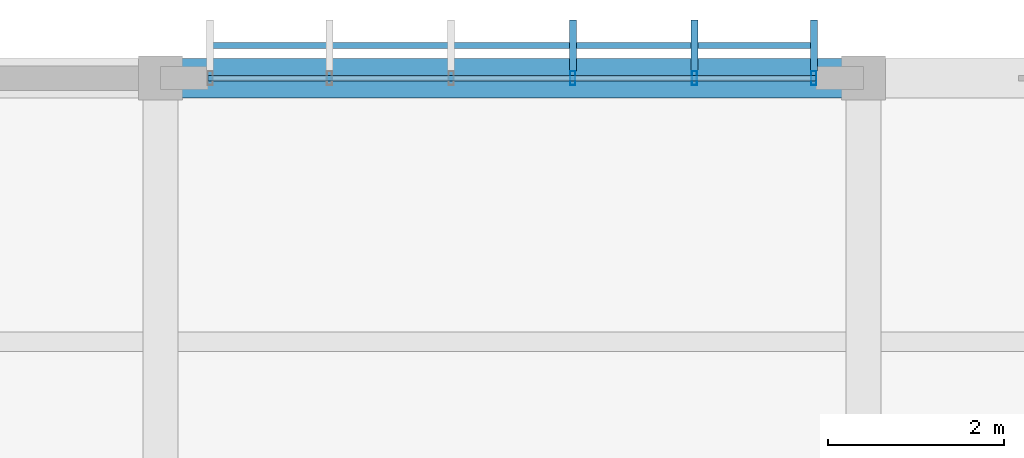
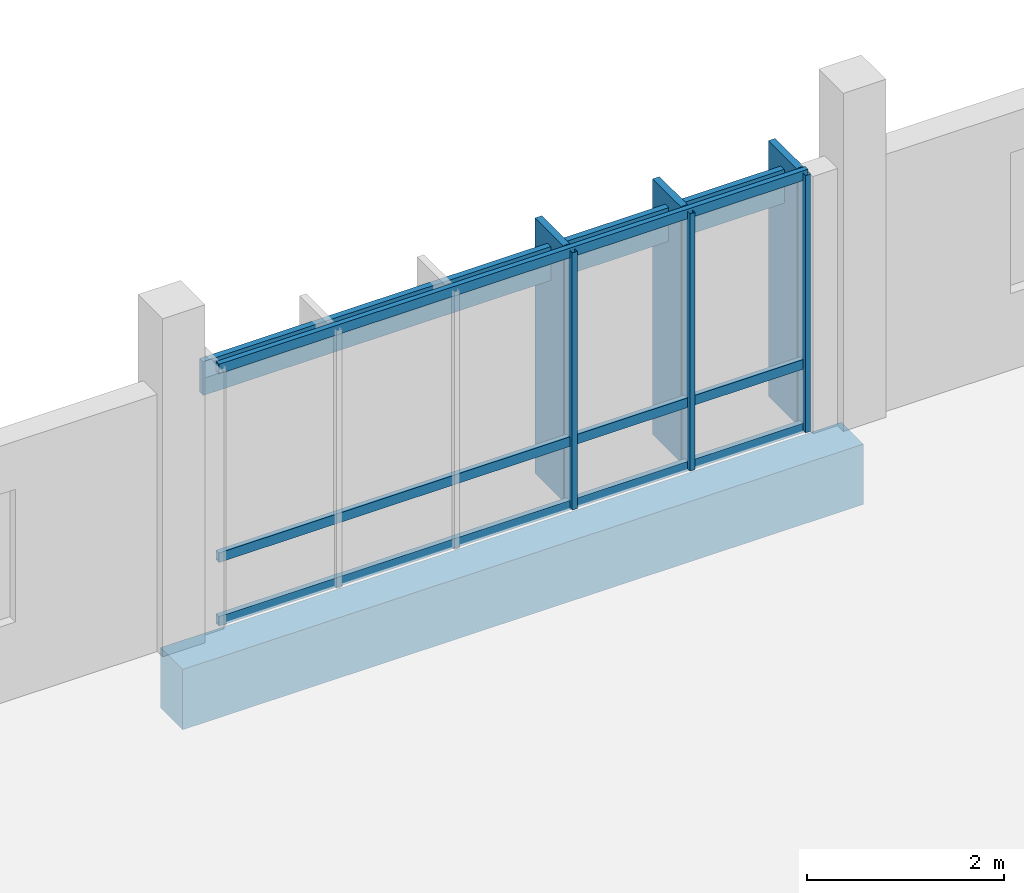
# One storey, part 63 of 107: 10 members, 1 beam, 1 element without a shape of its own.
"""IFC4 building model written with IfcOpenShell, lengths in metres."""

from ifc_helpers import new_model, si_unit, direction, frame, origin, origin_2d, place, context, subcontext, project, spatial, rectangle, hollow_rectangle, extrude, material, material_profile, profile_set, type_object, element, aggregate, save


model = new_model("IFC4")

# Units and contexts
model_context = context("Model", 3, precision=1e-05, world=origin(), true_north=direction((0.0, 1.0)))
body_context = subcontext(model_context, "Body", "Model", "MODEL_VIEW")
ifc_project = project(units=[si_unit("LENGTHUNIT", "METRE"), si_unit("AREAUNIT", "SQUARE_METRE"), si_unit("VOLUMEUNIT", "CUBIC_METRE"), si_unit("PLANEANGLEUNIT", "RADIAN"), si_unit("MASSUNIT", "GRAM", prefix="KILO")], contexts=[model_context])

# Site, building, storey
site_placement = place(None, origin())
site = spatial("IfcSite", under=ifc_project, at=site_placement, CompositionType="ELEMENT")
building_placement = place(site_placement, origin())
building = spatial("IfcBuilding", under=site, at=building_placement, Name="Chiffa Square Polytechnic", CompositionType="ELEMENT")
storey_placement = place(building_placement, frame((0.0, 0.0, 13.800048828125)))
storey = spatial("IfcBuildingStorey", under=building, at=storey_placement, Name="L03", CompositionType="ELEMENT", Elevation=13.800048828125)

# Beam
ifc_material_1 = material(Name="Concrete C35/45", Category="concrete")
ifc_material_profile_1 = material_profile(ifc_material_1, rectangle(XDim=0.449951171875, YDim=0.75, at=origin_2d()), Name="RC 450x750")
ifc_profile_set_1 = profile_set([ifc_material_profile_1], Name="Concrete C35/45")
beam_type = type_object("IfcBeamType", Name="BM-RC-450X750", PredefinedType="BEAM", material=ifc_profile_set_1)
beam_placement = place(storey_placement, frame((8.0, 130.800048828125, -0.635009765625), z_axis=(1.0, 0.0, 0.0), x_axis=(0.0, 1.0, 0.0)))
element("IfcBeam", 1, at=beam_placement, inside=storey, type_object=beam_type, Name="Primary floor girder BM-V5-L03-X-0080-1308", PredefinedType="BEAM", context=body_context, shape_type="SweptSolid", body=[
    extrude(rectangle(XDim=0.449951171875, YDim=0.75, at=origin_2d()), origin(), (0.0, 0.0, 1.0), 8.0),
])

# Curtain wall, members
ifc_material_2 = material(Name="Aluminium EN AW-6060 T66 and glulam shading", Category="wood")
curtain_wall_type = type_object("IfcCurtainWallType", Name="CW-VERT-480X380", PredefinedType="USERDEFINED", material=ifc_material_2)
curtain_wall_placement = place(storey_placement, origin())
curtain_wall = element("IfcCurtainWall", 2, at=curtain_wall_placement, inside=storey, type_object=curtain_wall_type, Name="Curtain wall CW-V5-L03-238", ObjectType="CURTAIN WALL", PredefinedType="USERDEFINED")
ifc_material_3 = material(Name="Aluminium EN AW-6060 T66", Category="aluminium")
ifc_material_profile_2 = material_profile(ifc_material_3, hollow_rectangle(XDim=0.06005859375, YDim=0.159912109375, WallThickness=0.00390625, at=origin_2d()), Name="ALU 60x160x4")
ifc_profile_set_2 = profile_set([ifc_material_profile_2], Name="Aluminium EN AW-6060 T66")
member_type_1 = type_object("IfcMemberType", Name="CWM-ALU-65X150", PredefinedType="MULLION", material=ifc_profile_set_2)
member_1_placement = place(storey_placement, frame((15.43505859375, 130.800048828125, 0.0), z_axis=(0.0, 0.0, 1.0), x_axis=(1.0, 0.0, 0.0)))
member_1 = element("IfcMember", 3, at=member_1_placement, type_object=member_type_1, Name="Curtain wall mullion CW-V5-L03-238-M00", PredefinedType="MULLION", context=body_context, shape_type="SweptSolid", body=[
    extrude(hollow_rectangle(XDim=0.06005859375, YDim=0.159912109375, WallThickness=0.00390625, at=origin_2d()), origin(), (0.0, 0.0, 1.0), 3.195068359375),
])
member_2_placement = place(storey_placement, frame((14.075927734375, 130.800048828125, 0.0), z_axis=(0.0, 0.0, 1.0), x_axis=(1.0, 0.0, 0.0)))
member_2 = element("IfcMember", 4, at=member_2_placement, type_object=member_type_1, Name="Curtain wall mullion CW-V5-L03-238-M01", PredefinedType="MULLION", context=body_context, shape_type="SweptSolid", body=[
    extrude(hollow_rectangle(XDim=0.06005859375, YDim=0.159912109375, WallThickness=0.00390625, at=origin_2d()), origin(), (0.0, 0.0, 1.0), 3.195068359375),
])
member_3_placement = place(storey_placement, frame((12.69189453125, 130.800048828125, 0.0), z_axis=(0.0, 0.0, 1.0), x_axis=(1.0, 0.0, 0.0)))
member_3 = element("IfcMember", 5, at=member_3_placement, type_object=member_type_1, Name="Curtain wall mullion CW-V5-L03-238-M02", PredefinedType="MULLION", context=body_context, shape_type="SweptSolid", body=[
    extrude(hollow_rectangle(XDim=0.06005859375, YDim=0.159912109375, WallThickness=0.00390625, at=origin_2d()), origin(), (0.0, 0.0, 1.0), 3.195068359375),
])
ifc_material_4 = material(Name="Glulam GL28h", Category="wood")
ifc_material_profile_3 = material_profile(ifc_material_4, rectangle(XDim=0.080078125, YDim=0.580078125, at=origin_2d()), Name="GL28h 80x580")
ifc_profile_set_3 = profile_set([ifc_material_profile_3], Name="Glulam GL28h")
member_type_2 = type_object("IfcMemberType", Name="CWM-GL-80X580", PredefinedType="MULLION", material=ifc_profile_set_3)
member_4_placement = place(storey_placement, frame((15.43505859375, 131.172119140625, 0.010009765625), z_axis=(0.0, 0.0, 1.0), x_axis=(-1.0, 0.0, 0.0)))
member_4 = element("IfcMember", 6, at=member_4_placement, type_object=member_type_2, Name="Exterior glulam solar fin CW-V5-L03-238-FN00", PredefinedType="MULLION", context=body_context, shape_type="SweptSolid", body=[
    extrude(rectangle(XDim=0.080078125, YDim=0.580078125, at=origin_2d()), origin(), (0.0, 0.0, 1.0), 3.175048828125),
])
member_5_placement = place(storey_placement, frame((14.075927734375, 131.172119140625, 0.010009765625), z_axis=(0.0, 0.0, 1.0), x_axis=(-1.0, 0.0, 0.0)))
member_5 = element("IfcMember", 7, at=member_5_placement, type_object=member_type_2, Name="Exterior glulam solar fin CW-V5-L03-238-FN01", PredefinedType="MULLION", context=body_context, shape_type="SweptSolid", body=[
    extrude(rectangle(XDim=0.080078125, YDim=0.580078125, at=origin_2d()), origin(), (0.0, 0.0, 1.0), 3.175048828125),
])
member_6_placement = place(storey_placement, frame((12.69189453125, 131.172119140625, 0.010009765625), z_axis=(0.0, 0.0, 1.0), x_axis=(-1.0, 0.0, 0.0)))
member_6 = element("IfcMember", 8, at=member_6_placement, type_object=member_type_2, Name="Exterior glulam solar fin CW-V5-L03-238-FN02", PredefinedType="MULLION", context=body_context, shape_type="SweptSolid", body=[
    extrude(rectangle(XDim=0.080078125, YDim=0.580078125, at=origin_2d()), origin(), (0.0, 0.0, 1.0), 3.175048828125),
])
ifc_material_profile_4 = material_profile(ifc_material_3, hollow_rectangle(XDim=0.06005859375, YDim=0.1201171875, WallThickness=0.00390625, at=origin_2d()), Name="ALU 60x120x4")
ifc_profile_set_4 = profile_set([ifc_material_profile_4], Name="Aluminium EN AW-6060 T66")
member_type_3 = type_object("IfcMemberType", Name="CWT-ALU-65X120", PredefinedType="USERDEFINED", material=ifc_profile_set_4)
member_7_placement = place(storey_placement, frame((15.4619140625, 130.800048828125, 0.030029296875), z_axis=(-1.0, 0.0, 0.0), x_axis=(0.0, -1.0, 0.0)))
member_7 = element("IfcMember", 9, at=member_7_placement, type_object=member_type_3, Name="Curtain wall transom CW-V5-L03-238-T01", ObjectType="TRANSOM", PredefinedType="USERDEFINED", context=body_context, shape_type="SweptSolid", body=[
    extrude(hollow_rectangle(XDim=0.06005859375, YDim=0.1201171875, WallThickness=0.00390625, at=origin_2d()), origin(), (0.0, 0.0, 1.0), 6.923828125),
])
member_8_placement = place(storey_placement, frame((15.4619140625, 130.800048828125, 0.820068359375), z_axis=(-1.0, 0.0, 0.0), x_axis=(0.0, -1.0, 0.0)))
member_8 = element("IfcMember", 10, at=member_8_placement, type_object=member_type_3, Name="Curtain wall transom CW-V5-L03-238-T02", ObjectType="TRANSOM", PredefinedType="USERDEFINED", context=body_context, shape_type="SweptSolid", body=[
    extrude(hollow_rectangle(XDim=0.06005859375, YDim=0.1201171875, WallThickness=0.00390625, at=origin_2d()), origin(), (0.0, 0.0, 1.0), 6.923828125),
])
member_9_placement = place(storey_placement, frame((15.4619140625, 130.800048828125, 3.1650390625), z_axis=(-1.0, 0.0, 0.0), x_axis=(0.0, -1.0, 0.0)))
member_9 = element("IfcMember", 11, at=member_9_placement, type_object=member_type_3, Name="Curtain wall transom CW-V5-L03-238-T03", ObjectType="TRANSOM", PredefinedType="USERDEFINED", context=body_context, shape_type="SweptSolid", body=[
    extrude(hollow_rectangle(XDim=0.06005859375, YDim=0.1201171875, WallThickness=0.00390625, at=origin_2d()), origin(), (0.0, 0.0, 1.0), 6.923828125),
])
ifc_material_profile_5 = material_profile(ifc_material_4, rectangle(XDim=0.070068359375, YDim=0.419921875, at=origin_2d()), Name="GL28h 70x420")
ifc_profile_set_5 = profile_set([ifc_material_profile_5], Name="Glulam GL28h")
member_type_4 = type_object("IfcMemberType", Name="CWT-GL-70X420", PredefinedType="USERDEFINED", material=ifc_profile_set_5)
member_10_placement = place(storey_placement, frame((15.43505859375, 131.172119140625, 2.81494140625), z_axis=(-1.0, 0.0, 0.0), x_axis=(0.0, -1.0, 0.0)))
member_10 = element("IfcMember", 12, at=member_10_placement, type_object=member_type_4, Name="Exterior glulam brise-soleil CW-V5-L03-238-BS01", ObjectType="TRANSOM", PredefinedType="USERDEFINED", context=body_context, shape_type="SweptSolid", body=[
    extrude(rectangle(XDim=0.070068359375, YDim=0.419921875, at=origin_2d()), origin(), (0.0, 0.0, 1.0), 6.8701171875),
])
aggregate(curtain_wall, [member_1, member_4, member_2, member_5, member_3, member_6, member_7, member_8, member_9, member_10])

save(model, "model.ifc")
